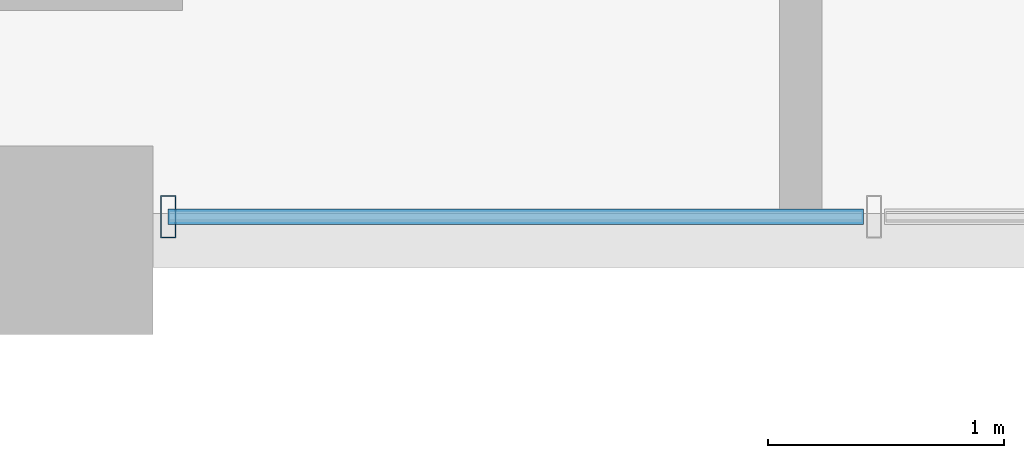
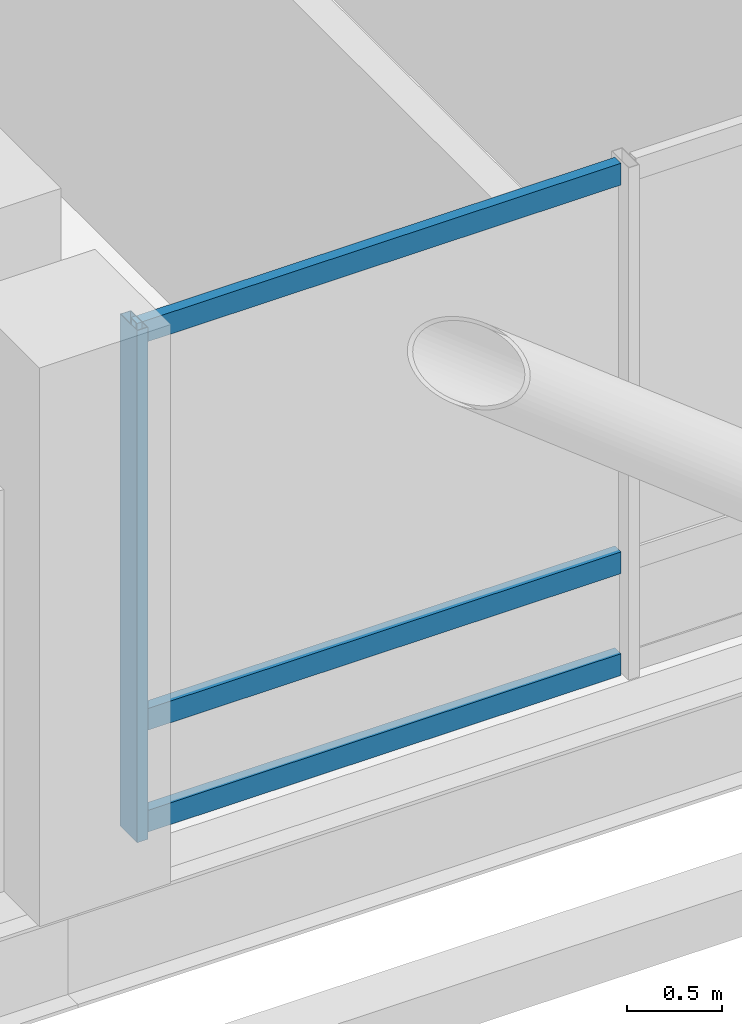
# One storey, part 2 of 25: 4 members, 1 element without a shape of its own.
"""IFC4 building model written with IfcOpenShell, lengths in metres."""

from ifc_helpers import new_model, si_unit, direction, frame, origin, origin_2d, place, context, subcontext, project, spatial, hollow_rectangle, extrude, material, layer, layer_set, material_profile, profile_set, type_object, element, aggregate, save


model = new_model("IFC4")

# Units and contexts
model_context = context("Model", 3, precision=1e-05, world=origin(), true_north=direction((0.0, 1.0)))
body_context = subcontext(model_context, "Body", "Model", "MODEL_VIEW")
ifc_project = project(units=[si_unit("LENGTHUNIT", "METRE"), si_unit("AREAUNIT", "SQUARE_METRE"), si_unit("VOLUMEUNIT", "CUBIC_METRE"), si_unit("PLANEANGLEUNIT", "RADIAN"), si_unit("MASSUNIT", "GRAM", prefix="KILO")], contexts=[model_context])

# Site, building, storey
site_placement = place(None, origin())
site = spatial("IfcSite", under=ifc_project, at=site_placement, CompositionType="ELEMENT")
building_placement = place(site_placement, origin())
building = spatial("IfcBuilding", under=site, at=building_placement, Name="Barlavira Tower and Art Museum", CompositionType="ELEMENT")
storey_placement = place(building_placement, frame((0.0, 0.0, 208.800048828125)))
storey = spatial("IfcBuildingStorey", under=building, at=storey_placement, Name="L54", CompositionType="ELEMENT", Elevation=208.800048828125)

# Curtain wall, members
ifc_material_1 = material(Name="Low-iron coastal laminated glass", Category="glass")
ifc_layer = layer(ifc_material_1, 0.199951171875, Name="Low-iron coastal laminated glass")
ifc_layer_set = layer_set([ifc_layer], Name="Low-iron coastal laminated glass")
curtain_wall_type = type_object("IfcCurtainWallType", Name="Pale-Metal Unitised Curtain Wall Zone 3", PredefinedType="NOTDEFINED", material=ifc_layer_set)
curtain_wall_placement = place(storey_placement, origin())
curtain_wall = element("IfcCurtainWall", 1, at=curtain_wall_placement, inside=storey, type_object=curtain_wall_type, Name="L54 Curtain Wall CW3-L54-S-B3", PredefinedType="NOTDEFINED")
ifc_material_2 = material(Name="Pale anodised aluminium", Category="aluminium")
ifc_material_profile_1 = material_profile(ifc_material_2, hollow_rectangle(XDim=0.06494140625, YDim=0.179931640625, WallThickness=0.00390625, at=origin_2d()), Name="ALU-MULL 65x180x4")
ifc_profile_set_1 = profile_set([ifc_material_profile_1], Name="Pale anodised aluminium")
member_type_1 = type_object("IfcMemberType", Name="Curtain Wall Pale-Metal Mullion 65x180", PredefinedType="MULLION", material=ifc_profile_set_1)
member_1_placement = place(storey_placement, frame((-6.034912109375, -21.39990234375, 0.0), z_axis=(0.0, 0.0, 1.0), x_axis=(1.0, 0.0, 0.0)))
member_1 = element("IfcMember", 2, at=member_1_placement, type_object=member_type_1, Name="CW3-L54-S-B3 Mullion 0", PredefinedType="MULLION", context=body_context, shape_type="SweptSolid", body=[
    extrude(hollow_rectangle(XDim=0.06494140625, YDim=0.179931640625, WallThickness=0.00390625, at=origin_2d()), origin(), (0.0, 0.0, 1.0), 3.300048828125),
])
ifc_material_profile_2 = material_profile(ifc_material_2, hollow_rectangle(XDim=0.06494140625, YDim=0.139892578125, WallThickness=0.00390625, at=origin_2d()), Name="ALU-TRAN 65x140x4")
ifc_profile_set_2 = profile_set([ifc_material_profile_2], Name="Pale anodised aluminium")
member_type_2 = type_object("IfcMemberType", Name="Curtain Wall Pale-Metal Transom 65x140", PredefinedType="USERDEFINED", material=ifc_profile_set_2)
member_2_placement = place(storey_placement, frame((-6.034912109375, -21.39990234375, 0.070068359375), z_axis=(1.0, 0.0, 0.0), x_axis=(0.0, 1.0, 0.0)))
member_2 = element("IfcMember", 3, at=member_2_placement, type_object=member_type_2, Name="CW3-L54-S-B3 Transom 0.1", ObjectType="TRANSOM", PredefinedType="USERDEFINED", context=body_context, shape_type="SweptSolid", body=[
    extrude(hollow_rectangle(XDim=0.06494140625, YDim=0.139892578125, WallThickness=0.00390625, at=origin_2d()), origin(), (0.0, 0.0, 1.0), 2.949951171875),
])
member_3_placement = place(storey_placement, frame((-6.034912109375, -21.39990234375, 0.725830078125), z_axis=(1.0, 0.0, 0.0), x_axis=(0.0, 1.0, 0.0)))
member_3 = element("IfcMember", 4, at=member_3_placement, type_object=member_type_2, Name="CW3-L54-S-B3 Transom 0.2", ObjectType="TRANSOM", PredefinedType="USERDEFINED", context=body_context, shape_type="SweptSolid", body=[
    extrude(hollow_rectangle(XDim=0.06494140625, YDim=0.139892578125, WallThickness=0.00390625, at=origin_2d()), origin(), (0.0, 0.0, 1.0), 2.949951171875),
])
member_4_placement = place(storey_placement, frame((-6.034912109375, -21.39990234375, 3.22998046875), z_axis=(1.0, 0.0, 0.0), x_axis=(0.0, 1.0, 0.0)))
member_4 = element("IfcMember", 5, at=member_4_placement, type_object=member_type_2, Name="CW3-L54-S-B3 Transom 0.3", ObjectType="TRANSOM", PredefinedType="USERDEFINED", context=body_context, shape_type="SweptSolid", body=[
    extrude(hollow_rectangle(XDim=0.06494140625, YDim=0.139892578125, WallThickness=0.00390625, at=origin_2d()), origin(), (0.0, 0.0, 1.0), 2.949951171875),
])
aggregate(curtain_wall, [member_1, member_2, member_3, member_4])

save(model, "model.ifc")
